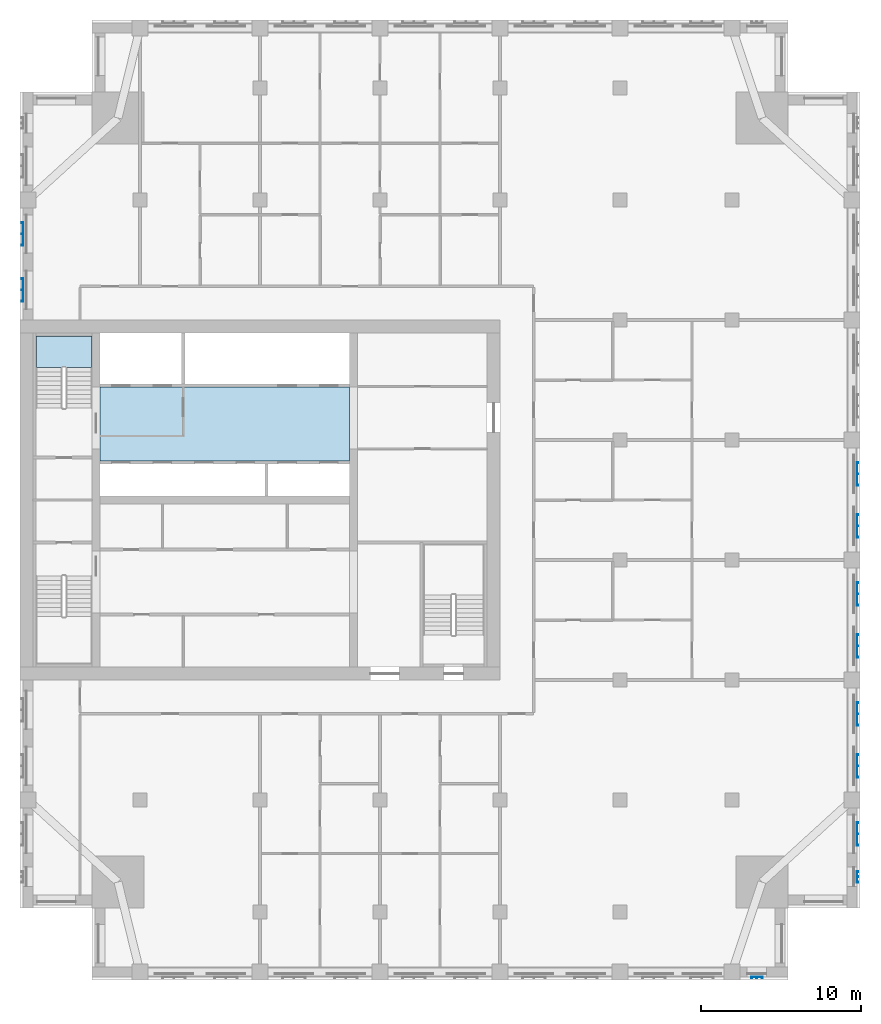
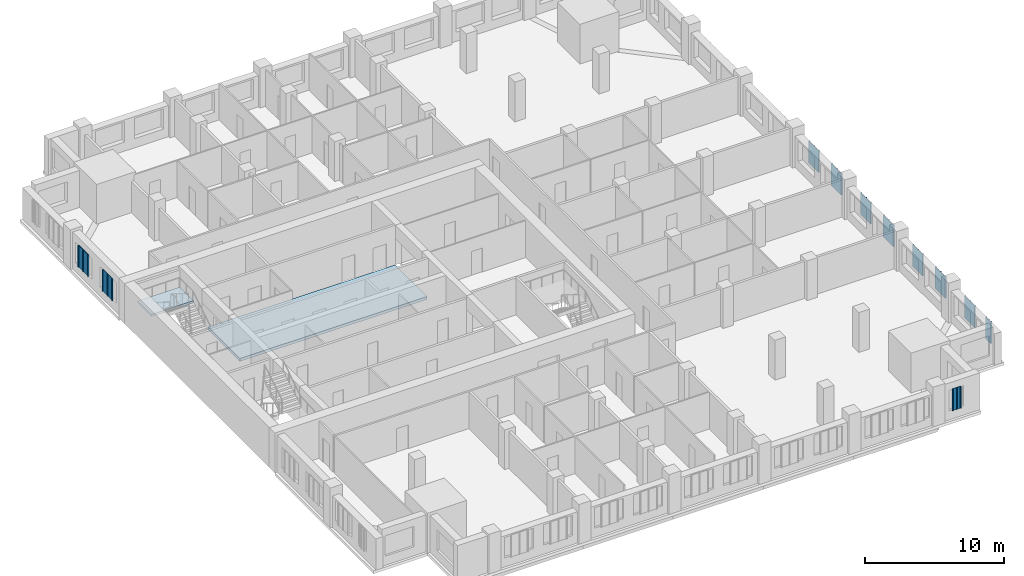
# One storey, part 4 of 14: 11 plates, 2 slabs, 1 element without a shape of its own.
"""IFC4 building model written with IfcOpenShell, lengths in metres."""

import ifcopenshell
import ifcopenshell.guid

model = None  # the IFC model being written
_history = None  # IfcOwnerHistory: only IFC2X3 demands one
_inside = {}  # id of a spatial element -> (the spatial element, [elements in it])
_under = {}  # id of a project, library or spatial element -> (it, [spatial elements below it])
_declared = {}  # id of a project -> (the project, [libraries it declares])
_typed = {}  # id of a type object -> (the type object, [elements of that type])
_made_of = {}  # id of a material, layer set ... -> (it, [elements and type objects made of it])


def new_model(schema):
    """Start an empty IFC model of exactly this schema.

    Asked for "IFC4X3", IfcOpenShell would pick the latest addendum, in which some entities
    have other attributes; the version numbers below select the first issue.
    IFC2X3 requires an IfcOwnerHistory on every rooted entity: one is made here for all.
    """
    global model, _history
    if schema == "IFC4X3":
        model = ifcopenshell.file(schema_version=(4, 3, 0, 0))
    else:
        model = ifcopenshell.file(schema=schema)
    _inside.clear()
    _under.clear()
    _declared.clear()
    _typed.clear()
    _made_of.clear()
    _history = None
    if model.schema == "IFC2X3":
        org = make("IfcOrganization", Name="unknown")
        user = make(
            "IfcPersonAndOrganization",
            ThePerson=make("IfcPerson", FamilyName="unknown"),
            TheOrganization=org,
        )
        app = make(
            "IfcApplication",
            ApplicationDeveloper=org,
            Version="unknown",
            ApplicationFullName="unknown",
            ApplicationIdentifier="unknown",
        )
        _history = make(
            "IfcOwnerHistory",
            OwningUser=user,
            OwningApplication=app,
            ChangeAction="ADDED",
            CreationDate=0,
        )
    return model


def make(cls, **values):
    """One entity of the class cls with the attributes given. An attribute that is None is left unset."""
    return model.create_entity(
        cls, **{name: value for name, value in values.items() if value is not None}
    )


def rooted(cls, **values):
    """An entity with a GlobalId (a new one), such as an element, a storey or a relation."""
    return make(cls, GlobalId=ifcopenshell.guid.new(), OwnerHistory=_history, **values)


def si_unit(unit_type, name, prefix=None):
    """IfcSIUnit, for example si_unit("LENGTHUNIT", "METRE", prefix="MILLI")."""
    return make("IfcSIUnit", UnitType=unit_type, Prefix=prefix, Name=name)


def assignment(units):
    """IfcUnitAssignment: the units of a project."""
    return None if units is None else make("IfcUnitAssignment", Units=units)


def point(xyz):
    """IfcCartesianPoint."""
    return None if xyz is None else make("IfcCartesianPoint", Coordinates=xyz)


def direction(xyz):
    """IfcDirection."""
    return None if xyz is None else make("IfcDirection", DirectionRatios=xyz)


def frame(location, z_axis=None, x_axis=None):
    """IfcAxis2Placement3D, a coordinate frame: its origin and axes. An axis left out is left unset."""
    return make(
        "IfcAxis2Placement3D",
        Location=point(location),
        Axis=direction(z_axis),
        RefDirection=direction(x_axis),
    )


def origin():
    """The frame at (0, 0, 0) with its axes left unset."""
    return frame((0.0, 0.0, 0.0))


def place(relative_to, where):
    """IfcLocalPlacement: puts the frame where relative to a parent placement (None: the world)."""
    return make(
        "IfcLocalPlacement", PlacementRelTo=relative_to, RelativePlacement=where
    )


def context(
    kind, dimensions, precision=None, world=None, true_north=None, identifier=None
):
    """IfcGeometricRepresentationContext, for example the 3D "Model" context."""
    return make(
        "IfcGeometricRepresentationContext",
        ContextIdentifier=identifier,
        ContextType=kind,
        CoordinateSpaceDimension=dimensions,
        Precision=precision,
        WorldCoordinateSystem=world,
        TrueNorth=true_north,
    )


def subcontext(parent, identifier, kind, view, scale=None):
    """IfcGeometricRepresentationSubContext, for example "Body" below "Model"."""
    return make(
        "IfcGeometricRepresentationSubContext",
        ContextIdentifier=identifier,
        ContextType=kind,
        ParentContext=parent,
        TargetScale=scale,
        TargetView=view,
    )


def project(units=None, contexts=None):
    """IfcProject with its units and contexts."""
    return rooted(
        "IfcProject",
        Name="project",
        RepresentationContexts=contexts,
        UnitsInContext=assignment(units),
    )


def spatial(cls, under=None, at=None, **own):
    """A site, building, storey or space (cls), placed at a placement, below another one or the project."""
    s = rooted(cls, ObjectPlacement=at, **own)
    if under is not None:
        _under.setdefault(under.id(), (under, []))[1].append(s)
    return s


def polyline(points):
    """IfcPolyline through the points."""
    return make("IfcPolyline", Points=[point(p) for p in points])


def outline(outer, holes=None, kind="AREA"):
    """IfcArbitraryClosedProfileDef: a profile drawn as a closed curve; with holes, ...WithVoids."""
    if holes is None:
        return make("IfcArbitraryClosedProfileDef", ProfileType=kind, OuterCurve=outer)
    return make(
        "IfcArbitraryProfileDefWithVoids",
        ProfileType=kind,
        OuterCurve=outer,
        InnerCurves=holes,
    )


def extrude(swept, where, along, depth):
    """IfcExtrudedAreaSolid: the profile swept, set in the frame where, extruded along a direction by depth."""
    return make(
        "IfcExtrudedAreaSolid",
        SweptArea=swept,
        Position=where,
        ExtrudedDirection=direction(along),
        Depth=depth,
    )


def shape(context_of_items, identifier, shape_type, items):
    """IfcShapeRepresentation: the items that make up one representation, for example the "Body"."""
    return make(
        "IfcShapeRepresentation",
        ContextOfItems=context_of_items,
        RepresentationIdentifier=identifier,
        RepresentationType=shape_type,
        Items=items,
    )


def material(Name=None, Category=None):
    """IfcMaterial."""
    return make("IfcMaterial", Name=Name, Category=Category)


def layer(
    of_material, thickness, ventilated=None, Name=None, Category=None, Priority=None
):
    """IfcMaterialLayer: one layer of a wall or slab, of a material (None: an air gap)."""
    return make(
        "IfcMaterialLayer",
        Material=of_material,
        LayerThickness=thickness,
        IsVentilated=ventilated,
        Name=Name,
        Category=Category,
        Priority=Priority,
    )


def layer_set(layers, Name=None):
    """IfcMaterialLayerSet."""
    return make("IfcMaterialLayerSet", MaterialLayers=layers, LayerSetName=Name)


def made_of(thing, what):
    """Note that an element or type object is made of a material, layer set ...; save() writes the relation."""
    if what is not None:
        _made_of.setdefault(what.id(), (what, []))[1].append(thing)
    return thing


def type_object(cls, material=None, **own):
    """A type object (cls), such as IfcWallType, which elements share."""
    return made_of(rooted(cls, **own), material)


def element(
    cls,
    number,
    at=None,
    inside=None,
    cuts=None,
    type_object=None,
    material=None,
    context=None,
    identifier="Body",
    shape_type=None,
    held_by="IfcProductDefinitionShape",
    body=None,
    shapes=None,
    **own,
):
    """One element of the class cls, such as IfcWall. Its Tag is "e" and its number.

    at: its placement. inside: the storey or other place that contains it. cuts: it is an
    opening in that element (IfcRelVoidsElement). A single representation is given by context,
    identifier, shape_type and body (its items); several are given by shapes. held_by: the class
    of the entity that holds the representations. save() writes the other relations.
    """
    e = rooted(cls, Tag="e%d" % number, ObjectPlacement=at, **own)
    if body is not None:
        shapes = [shape(context, identifier, shape_type, body)]
    if shapes is not None:
        e.Representation = make(held_by, Representations=shapes)
    if inside is not None:
        _inside.setdefault(inside.id(), (inside, []))[1].append(e)
    if cuts is not None:
        rooted(
            "IfcRelVoidsElement", RelatingBuildingElement=cuts, RelatedOpeningElement=e
        )
    if type_object is not None:
        _typed.setdefault(type_object.id(), (type_object, []))[1].append(e)
    return made_of(e, material)


def aggregate(whole, parts):
    """IfcRelAggregates: a whole, such as a stair, and the parts it consists of."""
    return rooted("IfcRelAggregates", RelatingObject=whole, RelatedObjects=parts)


def save(model, path):
    """Write the relations noted so far, then the file.

    IfcRelAggregates (storeys below a building ...), IfcRelContainedInSpatialStructure (elements
    in a storey), IfcRelDefinesByType, IfcRelAssociatesMaterial and IfcRelDeclares: one each for
    every whole, place, type object, material and project.
    """
    for whole, parts in _under.values():
        aggregate(whole, parts)
    for where, things in _inside.values():
        rooted(
            "IfcRelContainedInSpatialStructure",
            RelatedElements=things,
            RelatingStructure=where,
        )
    for kind, things in _typed.values():
        rooted("IfcRelDefinesByType", RelatedObjects=things, RelatingType=kind)
    for what, things in _made_of.values():
        rooted("IfcRelAssociatesMaterial", RelatedObjects=things, RelatingMaterial=what)
    for by, libraries in _declared.values():
        rooted("IfcRelDeclares", RelatingContext=by, RelatedDefinitions=libraries)
    model.write(path)


model = new_model("IFC4")

# Units and contexts
model_context = context("Model", 3, precision=1e-05, world=origin(), true_north=direction((0.0, 1.0)))
body_context = subcontext(model_context, "Body", "Model", "MODEL_VIEW")
ifc_project = project(units=[si_unit("LENGTHUNIT", "METRE"), si_unit("AREAUNIT", "SQUARE_METRE"), si_unit("VOLUMEUNIT", "CUBIC_METRE"), si_unit("PLANEANGLEUNIT", "RADIAN"), si_unit("MASSUNIT", "GRAM", prefix="KILO")], contexts=[model_context])

# Site, building, storey
site_placement = place(None, origin())
site = spatial("IfcSite", under=ifc_project, at=site_placement, CompositionType="ELEMENT")
building_placement = place(site_placement, origin())
building = spatial("IfcBuilding", under=site, at=building_placement, Name="Tamorin Gate", CompositionType="ELEMENT")
storey_placement = place(building_placement, frame((0.0, 0.0, 189.699951171875)))
storey = spatial("IfcBuildingStorey", under=building, at=storey_placement, Name="L46", CompositionType="ELEMENT", Elevation=189.699951171875)

# Slab
ifc_material_1 = material(Name="Concrete C40/50", Category="concrete")
ifc_layer_1 = layer(ifc_material_1, 0.25)
ifc_layer_set_1 = layer_set([ifc_layer_1], Name="Core floor slab 250 C40/50")
slab_type_1 = type_object("IfcSlabType", Name="Core floor slab 250 C40/50", PredefinedType="FLOOR", material=ifc_layer_set_1)
slab_1_placement = place(storey_placement, frame((0.0, 0.0, -0.25)))
element("IfcSlab", 1, at=slab_1_placement, inside=storey, type_object=slab_type_1, Name="Core floor L46", PredefinedType="FLOOR", context=body_context, shape_type="SweptSolid", body=[
    extrude(outline(polyline([(50.60009765625, 73.699951171875), (35.0, 73.699951171875), (35.0, 78.300048828125), (50.60009765625, 78.300048828125), (50.60009765625, 73.699951171875)])), origin(), (0.0, 0.0, 1.0), 0.25),
])

# Stair, slab
stair_type = type_object("IfcStairType", Name="Exit stair", PredefinedType="HALF_TURN_STAIR", material=ifc_material_1)
stair_placement = place(storey_placement, origin())
stair = element("IfcStair", 2, at=stair_placement, inside=storey, type_object=stair_type, Name="L46 stair ST2", PredefinedType="HALF_TURN_STAIR")
ifc_layer_2 = layer(ifc_material_1, 0.199951171875)
ifc_layer_set_2 = layer_set([ifc_layer_2], Name="Exit stair landing 200")
slab_type_2 = type_object("IfcSlabType", Name="Exit stair landing 200", PredefinedType="LANDING", material=ifc_layer_set_2)
slab_2_placement = place(storey_placement, frame((0.0, 0.0, 1.550048828125)))
slab_2 = element("IfcSlab", 3, at=slab_2_placement, type_object=slab_type_2, Name="ST2 landing 1", PredefinedType="LANDING", context=body_context, shape_type="SweptSolid", body=[
    extrude(outline(polyline([(34.5, 79.52001953125), (34.5, 81.5), (31.0, 81.5), (31.0, 79.52001953125), (34.5, 79.52001953125)])), origin(), (0.0, 0.0, 1.0), 0.199951171875),
])
aggregate(stair, [slab_2])

# Plates
ifc_material_2 = material(Name="Perforated pale aluminium sheet", Category="aluminium")
ifc_layer_3 = layer(ifc_material_2, 0.0400390625)
ifc_layer_set_3 = layer_set([ifc_layer_3], Name="Pale metal solar screen 1440")
plate_type_1 = type_object("IfcPlateType", Name="Pale metal solar screen 1440", PredefinedType="SHEET", material=ifc_layer_set_3)
plate_1_placement = place(storey_placement, frame((0.0, 0.0, 0.737548828125)))
element("IfcPlate", 4, at=plate_1_placement, inside=storey, type_object=plate_type_1, Name="Perforated solar screen", PredefinedType="SHEET", context=body_context, shape_type="SweptSolid", body=[
    extrude(outline(polyline([(82.340087890625, 49.655029296875), (82.300048828125, 49.655029296875), (82.300048828125, 49.715087890625), (82.300048828125, 50.344970703125), (82.300048828125, 50.405029296875), (82.300048828125, 51.034912109375), (82.300048828125, 51.094970703125), (82.300048828125, 51.094970703125), (82.340087890625, 51.094970703125), (82.340087890625, 51.094970703125), (82.39990234375, 51.094970703125), (82.39990234375, 51.034912109375), (82.340087890625, 51.034912109375), (82.340087890625, 50.405029296875), (82.39990234375, 50.405029296875), (82.39990234375, 50.344970703125), (82.340087890625, 50.344970703125), (82.340087890625, 49.715087890625), (82.39990234375, 49.715087890625), (82.39990234375, 49.655029296875), (82.340087890625, 49.655029296875)])), origin(), (0.0, 0.0, 1.0), 1.925048828125),
])
plate_2_placement = place(storey_placement, frame((0.0, 0.0, 0.737548828125)))
element("IfcPlate", 5, at=plate_2_placement, inside=storey, type_object=plate_type_1, Name="Perforated solar screen", PredefinedType="SHEET", context=body_context, shape_type="SweptSolid", body=[
    extrude(outline(polyline([(82.340087890625, 53.905029296875), (82.300048828125, 53.905029296875), (82.300048828125, 53.965087890625), (82.300048828125, 54.594970703125), (82.300048828125, 54.655029296875), (82.300048828125, 55.284912109375), (82.300048828125, 55.344970703125), (82.340087890625, 55.344970703125), (82.39990234375, 55.344970703125), (82.39990234375, 55.284912109375), (82.340087890625, 55.284912109375), (82.340087890625, 54.655029296875), (82.39990234375, 54.655029296875), (82.39990234375, 54.594970703125), (82.340087890625, 54.594970703125), (82.340087890625, 53.965087890625), (82.39990234375, 53.965087890625), (82.39990234375, 53.905029296875), (82.340087890625, 53.905029296875)])), origin(), (0.0, 0.0, 1.0), 1.925048828125),
])
plate_3_placement = place(storey_placement, frame((0.0, 0.0, 0.737548828125)))
element("IfcPlate", 6, at=plate_3_placement, inside=storey, type_object=plate_type_1, Name="Perforated solar screen", PredefinedType="SHEET", context=body_context, shape_type="SweptSolid", body=[
    extrude(outline(polyline([(82.340087890625, 57.155029296875), (82.300048828125, 57.155029296875), (82.300048828125, 57.215087890625), (82.300048828125, 57.844970703125), (82.300048828125, 57.905029296875), (82.300048828125, 58.534912109375), (82.300048828125, 58.594970703125), (82.340087890625, 58.594970703125), (82.39990234375, 58.594970703125), (82.39990234375, 58.534912109375), (82.340087890625, 58.534912109375), (82.340087890625, 57.905029296875), (82.39990234375, 57.905029296875), (82.39990234375, 57.844970703125), (82.340087890625, 57.844970703125), (82.340087890625, 57.215087890625), (82.39990234375, 57.215087890625), (82.39990234375, 57.155029296875), (82.340087890625, 57.155029296875)])), origin(), (0.0, 0.0, 1.0), 1.925048828125),
])
plate_4_placement = place(storey_placement, frame((0.0, 0.0, 0.737548828125)))
element("IfcPlate", 7, at=plate_4_placement, inside=storey, type_object=plate_type_1, Name="Perforated solar screen", PredefinedType="SHEET", context=body_context, shape_type="SweptSolid", body=[
    extrude(outline(polyline([(82.340087890625, 61.405029296875), (82.300048828125, 61.405029296875), (82.300048828125, 61.465087890625), (82.300048828125, 62.094970703125), (82.300048828125, 62.155029296875), (82.300048828125, 62.784912109375), (82.300048828125, 62.844970703125), (82.340087890625, 62.844970703125), (82.39990234375, 62.844970703125), (82.39990234375, 62.784912109375), (82.340087890625, 62.784912109375), (82.340087890625, 62.155029296875), (82.39990234375, 62.155029296875), (82.39990234375, 62.094970703125), (82.340087890625, 62.094970703125), (82.340087890625, 61.465087890625), (82.39990234375, 61.465087890625), (82.39990234375, 61.405029296875), (82.340087890625, 61.405029296875)])), origin(), (0.0, 0.0, 1.0), 1.925048828125),
])
plate_5_placement = place(storey_placement, frame((0.0, 0.0, 0.737548828125)))
element("IfcPlate", 8, at=plate_5_placement, inside=storey, type_object=plate_type_1, Name="Perforated solar screen", PredefinedType="SHEET", context=body_context, shape_type="SweptSolid", body=[
    extrude(outline(polyline([(82.340087890625, 64.655029296875), (82.300048828125, 64.655029296875), (82.300048828125, 64.715087890625), (82.300048828125, 65.344970703125), (82.300048828125, 65.405029296875), (82.300048828125, 66.034912109375), (82.300048828125, 66.094970703125), (82.340087890625, 66.094970703125), (82.39990234375, 66.094970703125), (82.39990234375, 66.034912109375), (82.340087890625, 66.034912109375), (82.340087890625, 65.405029296875), (82.39990234375, 65.405029296875), (82.39990234375, 65.344970703125), (82.340087890625, 65.344970703125), (82.340087890625, 64.715087890625), (82.39990234375, 64.715087890625), (82.39990234375, 64.655029296875), (82.340087890625, 64.655029296875)])), origin(), (0.0, 0.0, 1.0), 1.925048828125),
])
plate_6_placement = place(storey_placement, frame((0.0, 0.0, 0.737548828125)))
element("IfcPlate", 9, at=plate_6_placement, inside=storey, type_object=plate_type_1, Name="Perforated solar screen", PredefinedType="SHEET", context=body_context, shape_type="SweptSolid", body=[
    extrude(outline(polyline([(82.340087890625, 68.905029296875), (82.300048828125, 68.905029296875), (82.300048828125, 68.965087890625), (82.300048828125, 69.594970703125), (82.300048828125, 69.655029296875), (82.300048828125, 70.284912109375), (82.300048828125, 70.344970703125), (82.340087890625, 70.344970703125), (82.39990234375, 70.344970703125), (82.39990234375, 70.284912109375), (82.340087890625, 70.284912109375), (82.340087890625, 69.655029296875), (82.39990234375, 69.655029296875), (82.39990234375, 69.594970703125), (82.340087890625, 69.594970703125), (82.340087890625, 68.965087890625), (82.39990234375, 68.965087890625), (82.39990234375, 68.905029296875), (82.340087890625, 68.905029296875)])), origin(), (0.0, 0.0, 1.0), 1.925048828125),
])
plate_7_placement = place(storey_placement, frame((0.0, 0.0, 0.737548828125)))
element("IfcPlate", 10, at=plate_7_placement, inside=storey, type_object=plate_type_1, Name="Perforated solar screen", PredefinedType="SHEET", context=body_context, shape_type="SweptSolid", body=[
    extrude(outline(polyline([(82.340087890625, 72.155029296875), (82.300048828125, 72.155029296875), (82.300048828125, 72.215087890625), (82.300048828125, 72.844970703125), (82.300048828125, 72.905029296875), (82.300048828125, 73.534912109375), (82.300048828125, 73.594970703125), (82.340087890625, 73.594970703125), (82.39990234375, 73.594970703125), (82.39990234375, 73.534912109375), (82.340087890625, 73.534912109375), (82.340087890625, 72.905029296875), (82.39990234375, 72.905029296875), (82.39990234375, 72.844970703125), (82.340087890625, 72.844970703125), (82.340087890625, 72.215087890625), (82.39990234375, 72.215087890625), (82.39990234375, 72.155029296875), (82.340087890625, 72.155029296875)])), origin(), (0.0, 0.0, 1.0), 1.925048828125),
])
plate_8_placement = place(storey_placement, frame((0.0, 0.0, 0.737548828125)))
element("IfcPlate", 11, at=plate_8_placement, inside=storey, type_object=plate_type_1, Name="Perforated solar screen", PredefinedType="SHEET", context=body_context, shape_type="SweptSolid", body=[
    extrude(outline(polyline([(30.159912109375, 85.094970703125), (30.199951171875, 85.094970703125), (30.199951171875, 85.034912109375), (30.199951171875, 84.405029296875), (30.199951171875, 84.344970703125), (30.199951171875, 83.715087890625), (30.199951171875, 83.655029296875), (30.159912109375, 83.655029296875), (30.10009765625, 83.655029296875), (30.10009765625, 83.715087890625), (30.159912109375, 83.715087890625), (30.159912109375, 84.344970703125), (30.10009765625, 84.344970703125), (30.10009765625, 84.405029296875), (30.159912109375, 84.405029296875), (30.159912109375, 85.034912109375), (30.10009765625, 85.034912109375), (30.10009765625, 85.094970703125), (30.159912109375, 85.094970703125)])), origin(), (0.0, 0.0, 1.0), 1.925048828125),
])
plate_9_placement = place(storey_placement, frame((0.0, 0.0, 0.737548828125)))
element("IfcPlate", 12, at=plate_9_placement, inside=storey, type_object=plate_type_1, Name="Perforated solar screen", PredefinedType="SHEET", context=body_context, shape_type="SweptSolid", body=[
    extrude(outline(polyline([(30.159912109375, 88.594970703125), (30.199951171875, 88.594970703125), (30.199951171875, 88.534912109375), (30.199951171875, 87.905029296875), (30.199951171875, 87.844970703125), (30.199951171875, 87.215087890625), (30.199951171875, 87.155029296875), (30.159912109375, 87.155029296875), (30.10009765625, 87.155029296875), (30.10009765625, 87.215087890625), (30.159912109375, 87.215087890625), (30.159912109375, 87.844970703125), (30.10009765625, 87.844970703125), (30.10009765625, 87.905029296875), (30.159912109375, 87.905029296875), (30.159912109375, 88.534912109375), (30.10009765625, 88.534912109375), (30.10009765625, 88.594970703125), (30.159912109375, 88.594970703125)])), origin(), (0.0, 0.0, 1.0), 1.925048828125),
])
ifc_layer_4 = layer(ifc_material_2, 0.0400390625)
ifc_layer_set_4 = layer_set([ifc_layer_4], Name="Pale metal solar screen 720")
plate_type_2 = type_object("IfcPlateType", Name="Pale metal solar screen 720", PredefinedType="SHEET", material=ifc_layer_set_4)
plate_10_placement = place(storey_placement, frame((0.0, 0.0, 0.737548828125)))
element("IfcPlate", 13, at=plate_10_placement, inside=storey, type_object=plate_type_2, Name="Perforated solar screen", PredefinedType="SHEET", context=body_context, shape_type="SweptSolid", body=[
    extrude(outline(polyline([(75.68994140625, 41.409912109375), (75.68994140625, 41.449951171875), (75.75, 41.449951171875), (76.02001953125, 41.449951171875), (76.080078125, 41.449951171875), (76.35009765625, 41.449951171875), (76.409912109375, 41.449951171875), (76.409912109375, 41.409912109375), (76.409912109375, 41.35009765625), (76.35009765625, 41.35009765625), (76.35009765625, 41.409912109375), (76.080078125, 41.409912109375), (76.080078125, 41.35009765625), (76.02001953125, 41.35009765625), (76.02001953125, 41.409912109375), (75.75, 41.409912109375), (75.75, 41.35009765625), (75.68994140625, 41.35009765625), (75.68994140625, 41.409912109375)])), origin(), (0.0, 0.0, 1.0), 1.925048828125),
])
plate_11_placement = place(storey_placement, frame((0.0, 0.0, 0.737548828125)))
element("IfcPlate", 14, at=plate_11_placement, inside=storey, type_object=plate_type_2, Name="Perforated solar screen", PredefinedType="SHEET", context=body_context, shape_type="SweptSolid", body=[
    extrude(outline(polyline([(82.340087890625, 47.340087890625), (82.300048828125, 47.340087890625), (82.300048828125, 47.39990234375), (82.300048828125, 47.669921875), (82.300048828125, 47.72998046875), (82.300048828125, 48.0), (82.300048828125, 48.06005859375), (82.340087890625, 48.06005859375), (82.39990234375, 48.06005859375), (82.39990234375, 48.0), (82.340087890625, 48.0), (82.340087890625, 47.72998046875), (82.39990234375, 47.72998046875), (82.39990234375, 47.669921875), (82.340087890625, 47.669921875), (82.340087890625, 47.39990234375), (82.39990234375, 47.39990234375), (82.39990234375, 47.340087890625), (82.340087890625, 47.340087890625)])), origin(), (0.0, 0.0, 1.0), 1.925048828125),
])

save(model, "model.ifc")
